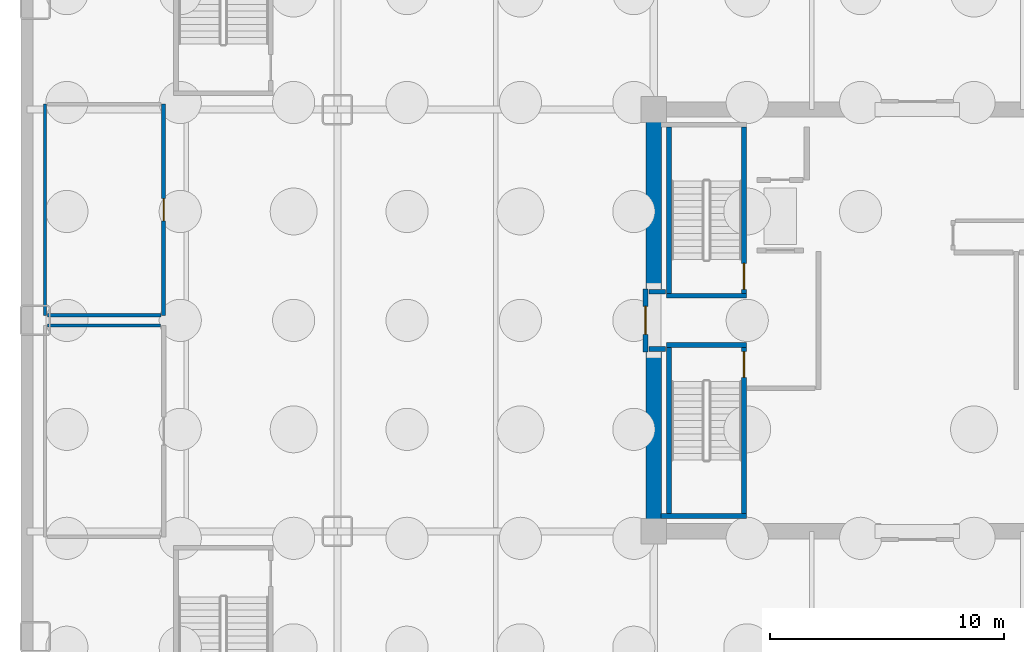
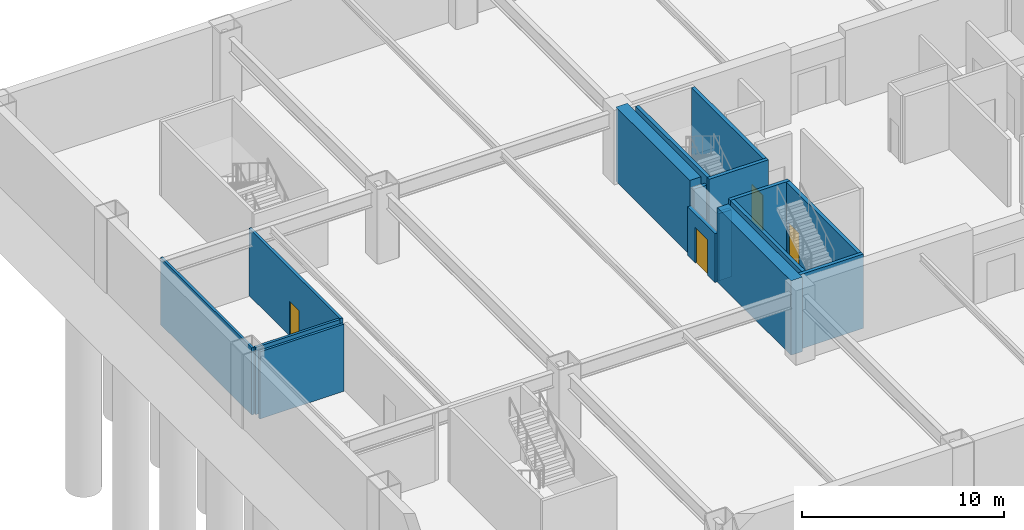
# One storey, part 3 of 11: 16 walls, 4 doors, 4 openings.
"""IFC4 building model written with IfcOpenShell, lengths in metres."""

from ifc_helpers import new_model, si_unit, direction, frame, frame_2d, origin, place, context, subcontext, project, spatial, rectangle, extrude, source, transform, mapped, material, layer, layer_set, type_object, element, fill, save


model = new_model("IFC4")

# Units and contexts
model_context = context("Model", 3, precision=1e-05, world=origin(), true_north=direction((0.0, 1.0)))
body_context = subcontext(model_context, "Body", "Model", "MODEL_VIEW")
ifc_project = project(units=[si_unit("LENGTHUNIT", "METRE"), si_unit("AREAUNIT", "SQUARE_METRE"), si_unit("VOLUMEUNIT", "CUBIC_METRE"), si_unit("PLANEANGLEUNIT", "RADIAN"), si_unit("MASSUNIT", "GRAM", prefix="KILO")], contexts=[model_context])

# Site, building, storey
site_placement = place(None, origin())
site = spatial("IfcSite", under=ifc_project, at=site_placement, CompositionType="ELEMENT")
building_placement = place(site_placement, origin())
building = spatial("IfcBuilding", under=site, at=building_placement, Name="Nefas-Gora Pilgrimage Tower", CompositionType="ELEMENT")
storey_placement = place(building_placement, frame((0.0, 0.0, -9.0)))
storey = spatial("IfcBuildingStorey", under=building, at=storey_placement, Name="B02", CompositionType="ELEMENT", Elevation=-9.0)

# Walls
ifc_material_1 = material(Name="Concrete C60/75", Category="concrete")
ifc_layer_1 = layer(ifc_material_1, 0.64990234375)
ifc_layer_set_1 = layer_set([ifc_layer_1], Name="Concrete C60/75")
wall_type_1 = type_object("IfcWallType", Name="SW-CORE-650", PredefinedType="SHEAR", material=ifc_layer_set_1)
shared_shape_1 = source(origin(), body_context, "Body", "SweptSolid", [
    extrude(rectangle(XDim=7.324951171875, YDim=0.64990234375, at=frame_2d((3.66259765625, 0.0))), origin(), (0.0, 0.0, 1.0), 4.5),
])
for number, where, z_axis, x_axis, name in (
    (1, (-11.25, -8.675048828125, 0.0), (0.0, 0.0, 1.0), (0.0, 1.0, 0.0), "B02 Core Shear Wall W-South"),
    (2, (-11.25, 1.35009765625, 0.0), (0.0, 0.0, 1.0), (0.0, 1.0, 0.0), "B02 Core Shear Wall W-North"),
):
    element("IfcWall", number, at=place(storey_placement, frame(where, z_axis=z_axis, x_axis=x_axis)), inside=storey, type_object=wall_type_1, Name=name, PredefinedType="SHEAR", context=body_context, shape_type="MappedRepresentation", body=[
        mapped(shared_shape_1, transform((0.0, 0.0, 0.0), x_axis=(1.0, 0.0, 0.0), y_axis=(0.0, 1.0, 0.0), z_axis=(0.0, 0.0, 1.0), scale=1.0)),
    ])
ifc_material_2 = material(Name="Concrete C45/55", Category="concrete")
ifc_layer_2 = layer(ifc_material_2, 0.199951171875)
ifc_layer_set_2 = layer_set([ifc_layer_2], Name="Concrete C45/55")
wall_type_2 = type_object("IfcWallType", Name="IW-STAIR-200", PredefinedType="SOLIDWALL", material=ifc_layer_set_2)
shared_shape_2 = source(origin(), body_context, "Body", "SweptSolid", [
    extrude(rectangle(XDim=3.39990234375, YDim=0.199951171875, at=frame_2d((1.699951171875, 0.0))), origin(), (0.0, 0.0, 1.0), 4.5),
])
for number, where, z_axis, x_axis, name in (
    (3, (-7.300048828125, 1.050048828125, 0.0), (0.0, 0.0, 1.0), (-1.0, 0.0, 0.0), "B02 Stairwell Shear Wall ST-01-near"),
    (4, (-10.699951171875, -1.050048828125, 0.0), (0.0, 0.0, 1.0), (1.0, 0.0, 0.0), "B02 Stairwell Shear Wall ST-03-near"),
):
    element("IfcWall", number, at=place(storey_placement, frame(where, z_axis=z_axis, x_axis=x_axis)), inside=storey, type_object=wall_type_2, Name=name, PredefinedType="SOLIDWALL", context=body_context, shape_type="MappedRepresentation", body=[
        mapped(shared_shape_2, transform((0.0, 0.0, 0.0), x_axis=(1.0, 0.0, 0.0), y_axis=(0.0, 1.0, 0.0), z_axis=(0.0, 0.0, 1.0), scale=1.0)),
    ])
shared_shape_3 = source(origin(), body_context, "Body", "SweptSolid", [
    extrude(rectangle(XDim=3.6298828125, YDim=0.199951171875, at=frame_2d((1.81494140625, 0.0))), origin(), (0.0, 0.0, 1.0), 4.5),
])
wall_1_placement = place(storey_placement, frame((-10.929931640625, -8.35009765625, 0.0), z_axis=(0.0, 0.0, 1.0), x_axis=(1.0, 0.0, 0.0)))
element("IfcWall", 5, at=wall_1_placement, inside=storey, type_object=wall_type_2, Name="B02 Stairwell Shear Wall ST-03-far", PredefinedType="SOLIDWALL", context=body_context, shape_type="MappedRepresentation", body=[
    mapped(shared_shape_3, transform((0.0, 0.0, 0.0), x_axis=(1.0, 0.0, 0.0), y_axis=(0.0, 1.0, 0.0), z_axis=(0.0, 0.0, 1.0), scale=1.0)),
])

# Wall, opening, door
shared_shape_4 = source(origin(), body_context, "Body", "SweptSolid", [
    extrude(rectangle(XDim=7.10009765625, YDim=0.199951171875, at=frame_2d((3.550048828125, 0.0))), origin(), (0.0, 0.0, 1.0), 4.5),
])
wall_2_placement = place(storey_placement, frame((-7.39990234375, 1.14990234375, 0.0), z_axis=(0.0, 0.0, 1.0), x_axis=(0.0, 1.0, 0.0)))
wall_2 = element("IfcWall", 6, at=wall_2_placement, inside=storey, type_object=wall_type_2, Name="B02 Stairwell Shear Wall ST-01-left", PredefinedType="SOLIDWALL", context=body_context, shape_type="MappedRepresentation", body=[
    mapped(shared_shape_4, transform((0.0, 0.0, 0.0), x_axis=(1.0, 0.0, 0.0), y_axis=(0.0, 1.0, 0.0), z_axis=(0.0, 0.0, 1.0), scale=1.0)),
])
opening_1_placement = place(wall_2_placement, frame((0.179931640625, 0.0, 0.0)))
opening_1 = element("IfcOpeningElement", 7, at=opening_1_placement, cuts=wall_2, Name="Opening ID-ST1", PredefinedType="OPENING", context=body_context, shape_type="SweptSolid", body=[
    extrude(rectangle(XDim=1.10009765625, YDim=2.14990234375, at=frame_2d((0.550048828125, 1.074951171875))), frame((0.0, 0.10986328125, 0.0), z_axis=(0.0, -1.0, 0.0), x_axis=(1.0, 0.0, 0.0)), (0.0, 0.0, 1.0), 0.219970703125),
])
ifc_material_3 = material(Name="Painted galvanised steel fire stair door", Category="steel")
door_type_1 = type_object("IfcDoorType", Name="DR-INT-STAIR-1100", OperationType="NOTDEFINED", PredefinedType="DOOR", material=ifc_material_3)
shared_shape_5 = source(origin(), body_context, "Body", "SweptSolid", [
    extrude(rectangle(XDim=1.10009765625, YDim=2.14990234375, at=frame_2d((0.550048828125, 1.074951171875))), frame((0.0, 0.02490234375, 0.0), z_axis=(0.0, -1.0, 0.0), x_axis=(1.0, 0.0, 0.0)), (0.0, 0.0, 1.0), 0.050048828125),
])
door_1_placement = place(opening_1_placement, origin())
door_1 = element("IfcDoor", 8, at=door_1_placement, inside=storey, type_object=door_type_1, Name="B02 Protected Exit Stair Door ST-01", OperationType="SINGLE_SWING_RIGHT", OverallHeight=2.14990234375, OverallWidth=1.10009765625, PredefinedType="DOOR", context=body_context, shape_type="MappedRepresentation", body=[
    mapped(shared_shape_5, transform((0.0, 0.0, 0.0), x_axis=(1.0, 0.0, 0.0), y_axis=(0.0, 1.0, 0.0), z_axis=(0.0, 0.0, 1.0), scale=1.0)),
])
fill(opening_1, door_1)

# Walls
for number, where, z_axis, x_axis, name in (
    (9, (-10.60009765625, 1.14990234375, 0.0), (0.0, 0.0, 1.0), (0.0, 1.0, 0.0), "B02 Stairwell Shear Wall ST-01-right"),
    (10, (-10.60009765625, -1.14990234375, 0.0), (0.0, 0.0, 1.0), (0.0, -1.0, 0.0), "B02 Stairwell Shear Wall ST-03-left"),
):
    element("IfcWall", number, at=place(storey_placement, frame(where, z_axis=z_axis, x_axis=x_axis)), inside=storey, type_object=wall_type_2, Name=name, PredefinedType="SOLIDWALL", context=body_context, shape_type="MappedRepresentation", body=[
        mapped(shared_shape_4, transform((0.0, 0.0, 0.0), x_axis=(1.0, 0.0, 0.0), y_axis=(0.0, 1.0, 0.0), z_axis=(0.0, 0.0, 1.0), scale=1.0)),
    ])

# Wall, opening, door
wall_3_placement = place(storey_placement, frame((-7.39990234375, -1.14990234375, 0.0), z_axis=(0.0, 0.0, 1.0), x_axis=(0.0, -1.0, 0.0)))
wall_3 = element("IfcWall", 11, at=wall_3_placement, inside=storey, type_object=wall_type_2, Name="B02 Stairwell Shear Wall ST-03-right", PredefinedType="SOLIDWALL", context=body_context, shape_type="MappedRepresentation", body=[
    mapped(shared_shape_4, transform((0.0, 0.0, 0.0), x_axis=(1.0, 0.0, 0.0), y_axis=(0.0, 1.0, 0.0), z_axis=(0.0, 0.0, 1.0), scale=1.0)),
])
opening_2_placement = place(wall_3_placement, frame((0.179931640625, 0.0, 0.0)))
opening_2 = element("IfcOpeningElement", 12, at=opening_2_placement, cuts=wall_3, Name="Opening ID-ST1", PredefinedType="OPENING", context=body_context, shape_type="SweptSolid", body=[
    extrude(rectangle(XDim=1.10009765625, YDim=2.14990234375, at=frame_2d((0.550048828125, 1.074951171875))), frame((0.0, 0.10986328125, 0.0), z_axis=(0.0, -1.0, 0.0), x_axis=(1.0, 0.0, 0.0)), (0.0, 0.0, 1.0), 0.219970703125),
])
door_2_placement = place(opening_2_placement, origin())
door_2 = element("IfcDoor", 13, at=door_2_placement, inside=storey, type_object=door_type_1, Name="B02 Protected Exit Stair Door ST-03", OperationType="SINGLE_SWING_RIGHT", OverallHeight=2.14990234375, OverallWidth=1.10009765625, PredefinedType="DOOR", context=body_context, shape_type="MappedRepresentation", body=[
    mapped(shared_shape_5, transform((0.0, 0.0, 0.0), x_axis=(1.0, 0.0, 0.0), y_axis=(0.0, 1.0, 0.0), z_axis=(0.0, 0.0, 1.0), scale=1.0)),
])
fill(opening_2, door_2)

ifc_material_4 = material(Name="Gypsum fire-rated shaftwall")
ifc_layer_3 = layer(ifc_material_4, 0.199951171875)
ifc_layer_set_3 = layer_set([ifc_layer_3], Name="Gypsum fire-rated shaftwall")
wall_type_3 = type_object("IfcWallType", Name="IW-FFLOB-200", PredefinedType="PARTITIONING", material=ifc_layer_set_3)
shared_shape_6 = source(origin(), body_context, "Body", "SweptSolid", [
    extrude(rectangle(XDim=2.7001953125, YDim=0.199951171875, at=frame_2d((1.35009765625, 0.0))), origin(), (0.0, 0.0, 1.0), 2.955078125),
])
wall_4_placement = place(storey_placement, frame((-11.60009765625, -1.35009765625, 0.0), z_axis=(0.0, 0.0, 1.0), x_axis=(0.0, 1.0, 0.0)))
wall_4 = element("IfcWall", 14, at=wall_4_placement, inside=storey, type_object=wall_type_3, Name="B02 FF Lobby West Portal Wall 5", PredefinedType="PARTITIONING", context=body_context, shape_type="MappedRepresentation", body=[
    mapped(shared_shape_6, transform((0.0, 0.0, 0.0), x_axis=(1.0, 0.0, 0.0), y_axis=(0.0, 1.0, 0.0), z_axis=(0.0, 0.0, 1.0), scale=1.0)),
])
opening_3_placement = place(wall_4_placement, frame((0.75, 0.0, 0.0)))
opening_3 = element("IfcOpeningElement", 15, at=opening_3_placement, cuts=wall_4, Name="Opening ID-FF1", PredefinedType="OPENING", context=body_context, shape_type="SweptSolid", body=[
    extrude(rectangle(XDim=1.199951171875, YDim=2.14990234375, at=frame_2d((0.60009765625, 1.074951171875))), frame((0.0, 0.10986328125, 0.0), z_axis=(0.0, -1.0, 0.0), x_axis=(1.0, 0.0, 0.0)), (0.0, 0.0, 1.0), 0.219970703125),
])
ifc_material_5 = material(Name="Smoke-sealed steel firefighting lobby door", Category="steel")
door_type_2 = type_object("IfcDoorType", Name="DR-INT-FFLOB-1200", OperationType="NOTDEFINED", PredefinedType="DOOR", material=ifc_material_5)
shared_shape_7 = source(origin(), body_context, "Body", "SweptSolid", [
    extrude(rectangle(XDim=1.199951171875, YDim=2.14990234375, at=frame_2d((0.60009765625, 1.074951171875))), frame((0.0, 0.02490234375, 0.0), z_axis=(0.0, -1.0, 0.0), x_axis=(1.0, 0.0, 0.0)), (0.0, 0.0, 1.0), 0.050048828125),
])
door_3_placement = place(opening_3_placement, origin())
door_3 = element("IfcDoor", 16, at=door_3_placement, inside=storey, type_object=door_type_2, Name="B02 FF Lobby West Portal Door 3", OperationType="SINGLE_SWING_RIGHT", OverallHeight=2.14990234375, OverallWidth=1.199951171875, PredefinedType="DOOR", context=body_context, shape_type="MappedRepresentation", body=[
    mapped(shared_shape_7, transform((0.0, 0.0, 0.0), x_axis=(1.0, 0.0, 0.0), y_axis=(0.0, 1.0, 0.0), z_axis=(0.0, 0.0, 1.0), scale=1.0)),
])
fill(opening_3, door_3)

# Walls
shared_shape_8 = source(origin(), body_context, "Body", "SweptSolid", [
    extrude(rectangle(XDim=0.719970703125, YDim=0.199951171875, at=frame_2d((0.35986328125, 0.0))), origin(), (0.0, 0.0, 1.0), 4.06494140625),
])
for number, where, z_axis, x_axis, name in (
    (17, (-11.4599609375, 1.219970703125, 0.0), (0.0, 0.0, 1.0), (1.0, 0.0, 0.0), "B02 FF Lobby West Throat N Wall 8"),
    (18, (-11.4599609375, -1.219970703125, 0.0), (0.0, 0.0, 1.0), (1.0, 0.0, 0.0), "B02 FF Lobby West Throat S Wall 9"),
):
    element("IfcWall", number, at=place(storey_placement, frame(where, z_axis=z_axis, x_axis=x_axis)), inside=storey, type_object=wall_type_3, Name=name, PredefinedType="PARTITIONING", context=body_context, shape_type="MappedRepresentation", body=[
        mapped(shared_shape_8, transform((0.0, 0.0, 0.0), x_axis=(1.0, 0.0, 0.0), y_axis=(0.0, 1.0, 0.0), z_axis=(0.0, 0.0, 1.0), scale=1.0)),
    ])
ifc_material_6 = material(Name="Gypsum twin-stud partition")
ifc_layer_4 = layer(ifc_material_6, 0.139892578125)
ifc_layer_set_4 = layer_set([ifc_layer_4], Name="Gypsum twin-stud partition")
wall_type_4 = type_object("IfcWallType", Name="IW-UNIT-140", PredefinedType="PARTITIONING", material=ifc_layer_set_4)
shared_shape_9 = source(origin(), body_context, "Body", "SweptSolid", [
    extrude(rectangle(XDim=9.030029296875, YDim=0.139892578125, at=frame_2d((4.51513671875, 0.0))), origin(), (0.0, 0.0, 1.0), 4.06494140625),
])
wall_5_placement = place(storey_placement, frame((-37.22998046875, 0.2099609375, 0.0), z_axis=(0.0, 0.0, 1.0), x_axis=(0.0, 1.0, 0.0)))
element("IfcWall", 19, at=wall_5_placement, inside=storey, type_object=wall_type_4, Name="B02 Maintenance Spare Parts Store Partition Wall 26", PredefinedType="PARTITIONING", context=body_context, shape_type="MappedRepresentation", body=[
    mapped(shared_shape_9, transform((0.0, 0.0, 0.0), x_axis=(1.0, 0.0, 0.0), y_axis=(0.0, 1.0, 0.0), z_axis=(0.0, 0.0, 1.0), scale=1.0)),
])
shared_shape_10 = source(origin(), body_context, "Body", "SweptSolid", [
    extrude(rectangle(XDim=4.81005859375, YDim=0.139892578125, at=frame_2d((2.405029296875, 0.0))), origin(), (0.0, 0.0, 1.0), 4.06494140625),
])
wall_6_placement = place(storey_placement, frame((-37.1201171875, -0.219970703125, 0.0), z_axis=(0.0, 0.0, 1.0), x_axis=(1.0, 0.0, 0.0)))
element("IfcWall", 20, at=wall_6_placement, inside=storey, type_object=wall_type_4, Name="B02 Basement Water Mist Pump Room Partition Wall 24", PredefinedType="PARTITIONING", context=body_context, shape_type="MappedRepresentation", body=[
    mapped(shared_shape_10, transform((0.0, 0.0, 0.0), x_axis=(1.0, 0.0, 0.0), y_axis=(0.0, 1.0, 0.0), z_axis=(0.0, 0.0, 1.0), scale=1.0)),
])

# Wall, opening, door
ifc_material_7 = material(Name="Gypsum acoustic stud partition")
ifc_layer_5 = layer(ifc_material_7, 0.159912109375)
ifc_layer_set_5 = layer_set([ifc_layer_5], Name="Gypsum acoustic stud partition")
wall_type_5 = type_object("IfcWallType", Name="IW-CORR-160", PredefinedType="PARTITIONING", material=ifc_layer_set_5)
shared_shape_11 = source(origin(), body_context, "Body", "SweptSolid", [
    extrude(rectangle(XDim=9.030029296875, YDim=0.159912109375, at=frame_2d((4.51513671875, 0.0))), origin(), (0.0, 0.0, 1.0), 4.06494140625),
])
wall_7_placement = place(storey_placement, frame((-32.169921875, 0.2099609375, 0.0), z_axis=(0.0, 0.0, 1.0), x_axis=(0.0, 1.0, 0.0)))
wall_7 = element("IfcWall", 21, at=wall_7_placement, inside=storey, type_object=wall_type_5, Name="B02 Maintenance Spare Parts Store Partition Wall 25", PredefinedType="PARTITIONING", context=body_context, shape_type="MappedRepresentation", body=[
    mapped(shared_shape_11, transform((0.0, 0.0, 0.0), x_axis=(1.0, 0.0, 0.0), y_axis=(0.0, 1.0, 0.0), z_axis=(0.0, 0.0, 1.0), scale=1.0)),
])
opening_4_placement = place(wall_7_placement, frame((4.0400390625, 0.0, 0.0)))
opening_4 = element("IfcOpeningElement", 22, at=opening_4_placement, cuts=wall_7, Name="Opening ID-GR1", PredefinedType="OPENING", context=body_context, shape_type="SweptSolid", body=[
    extrude(rectangle(XDim=0.949951171875, YDim=2.10009765625, at=frame_2d((0.47509765625, 1.050048828125))), frame((0.0, 0.08984375, 0.0), z_axis=(0.0, -1.0, 0.0), x_axis=(1.0, 0.0, 0.0)), (0.0, 0.0, 1.0), 0.179931640625),
])
ifc_material_8 = material(Name="Solid core oak fire-rated guest entrance door")
door_type_3 = type_object("IfcDoorType", Name="DR-INT-GUEST-950", OperationType="NOTDEFINED", PredefinedType="DOOR", material=ifc_material_8)
shared_shape_12 = source(origin(), body_context, "Body", "SweptSolid", [
    extrude(rectangle(XDim=0.949951171875, YDim=2.10009765625, at=frame_2d((0.47509765625, 1.050048828125))), frame((0.0, 0.02490234375, 0.0), z_axis=(0.0, -1.0, 0.0), x_axis=(1.0, 0.0, 0.0)), (0.0, 0.0, 1.0), 0.050048828125),
])
door_4_placement = place(opening_4_placement, origin())
door_4 = element("IfcDoor", 23, at=door_4_placement, inside=storey, type_object=door_type_3, Name="B02 Maintenance Spare Parts Store Door 10", OperationType="SINGLE_SWING_LEFT", OverallHeight=2.10009765625, OverallWidth=0.949951171875, PredefinedType="DOOR", context=body_context, shape_type="MappedRepresentation", body=[
    mapped(shared_shape_12, transform((0.0, 0.0, 0.0), x_axis=(1.0, 0.0, 0.0), y_axis=(0.0, 1.0, 0.0), z_axis=(0.0, 0.0, 1.0), scale=1.0)),
])
fill(opening_4, door_4)

# Wall
shared_shape_13 = source(origin(), body_context, "Body", "SweptSolid", [
    extrude(rectangle(XDim=4.830078125, YDim=0.139892578125, at=frame_2d((2.4150390625, 0.0))), origin(), (0.0, 0.0, 1.0), 4.06494140625),
])
wall_8_placement = place(storey_placement, frame((-37.1201171875, 0.219970703125, 0.0), z_axis=(0.0, 0.0, 1.0), x_axis=(1.0, 0.0, 0.0)))
element("IfcWall", 24, at=wall_8_placement, inside=storey, type_object=wall_type_4, Name="B02 Maintenance Spare Parts Store Partition Wall 27", PredefinedType="PARTITIONING", context=body_context, shape_type="MappedRepresentation", body=[
    mapped(shared_shape_13, transform((0.0, 0.0, 0.0), x_axis=(1.0, 0.0, 0.0), y_axis=(0.0, 1.0, 0.0), z_axis=(0.0, 0.0, 1.0), scale=1.0)),
])

save(model, "model.ifc")
